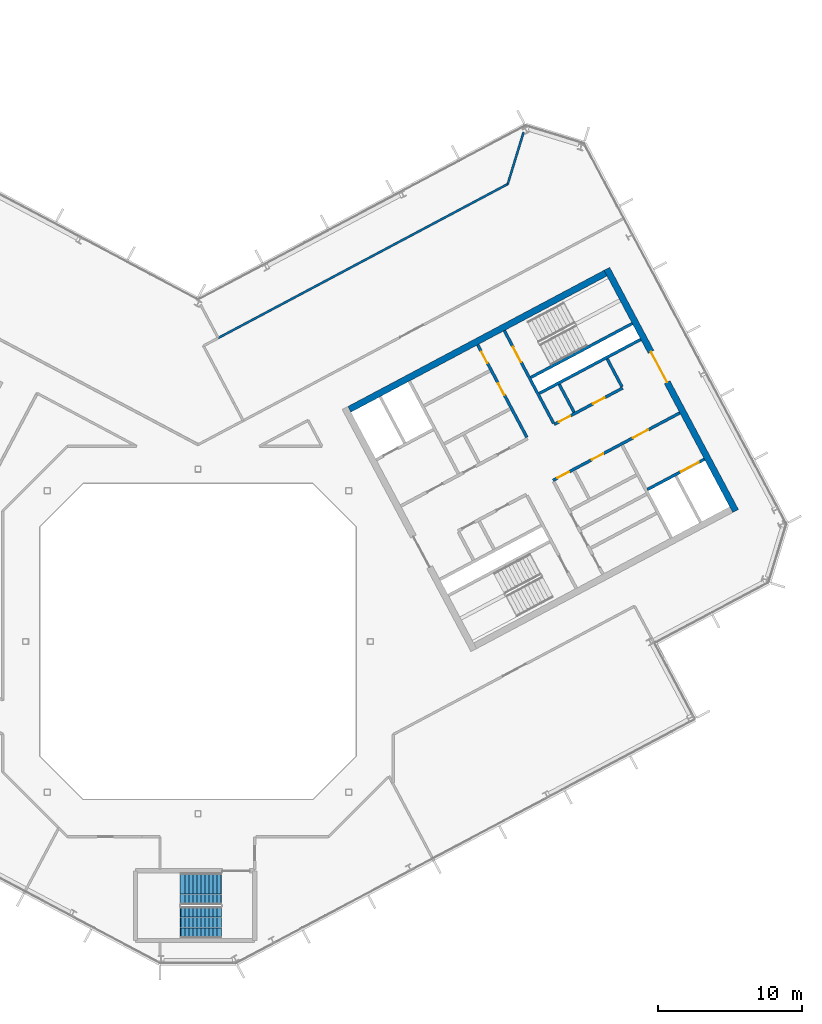
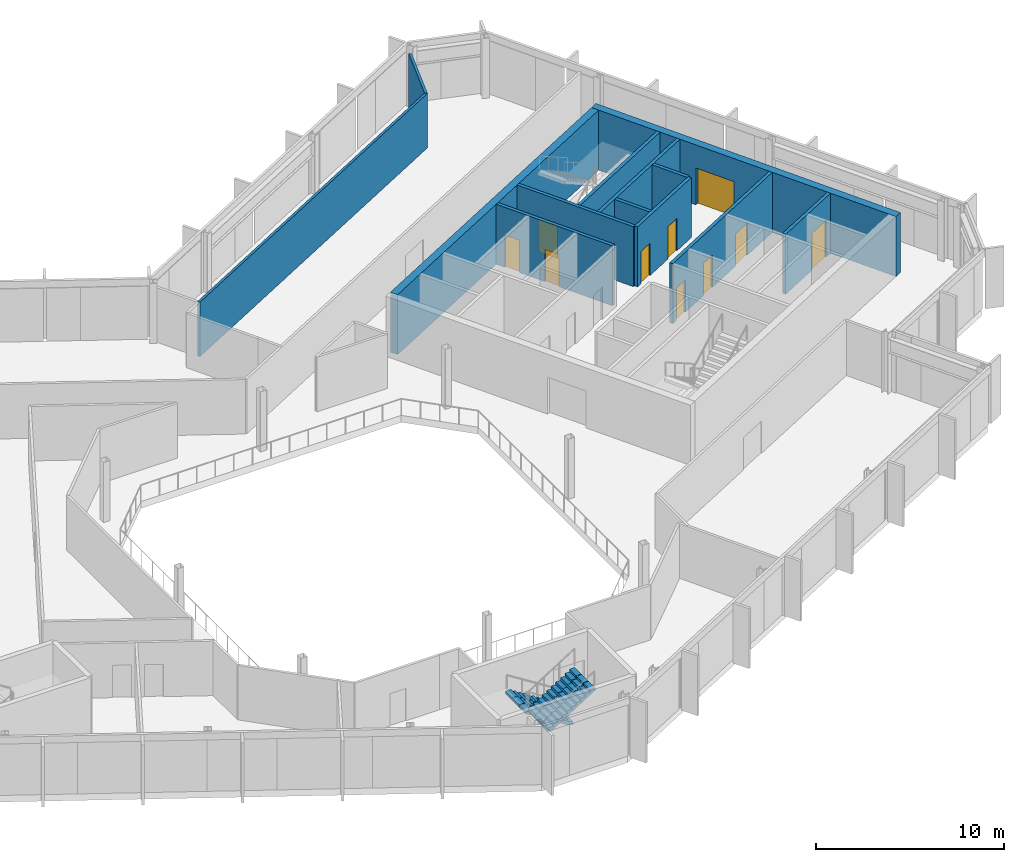
# One storey, part 17 of 26: 13 walls, 10 doors, 2 stair flights, 10 openings, 1 element without a shape of its own.
"""IFC4 building model written with IfcOpenShell, lengths in metres."""

from ifc_helpers import new_model, si_unit, direction, frame, frame_2d, origin, place, context, subcontext, project, spatial, polyline, rectangle, outline, extrude, material, layer, layer_set, type_object, element, fill, aggregate, save


model = new_model("IFC4")

# Units and contexts
model_context = context("Model", 3, precision=1e-05, world=origin(), true_north=direction((0.0, 1.0)))
body_context = subcontext(model_context, "Body", "Model", "MODEL_VIEW")
ifc_project = project(units=[si_unit("LENGTHUNIT", "METRE"), si_unit("AREAUNIT", "SQUARE_METRE"), si_unit("VOLUMEUNIT", "CUBIC_METRE"), si_unit("PLANEANGLEUNIT", "RADIAN"), si_unit("MASSUNIT", "GRAM", prefix="KILO")], contexts=[model_context])

# Site, building, storey
site_placement = place(None, origin())
site = spatial("IfcSite", under=ifc_project, at=site_placement, CompositionType="ELEMENT")
building_placement = place(site_placement, origin())
building = spatial("IfcBuilding", under=site, at=building_placement, Name="Cormorant Relay Tower", CompositionType="ELEMENT")
storey_placement = place(building_placement, frame((0.0, 0.0, 320.39990234375)))
storey = spatial("IfcBuildingStorey", under=building, at=storey_placement, Name="L73", CompositionType="ELEMENT", Elevation=320.39990234375)

# Wall
ifc_material_1 = material(Name="Concrete 40 MPa", Category="concrete")
ifc_layer_1 = layer(ifc_material_1, 0.199951171875)
ifc_layer_set_1 = layer_set([ifc_layer_1], Name="Core internal wall 200")
wall_type_1 = type_object("IfcWallType", Name="Core internal wall 200", PredefinedType="SOLIDWALL", material=ifc_layer_set_1)
wall_1_placement = place(storey_placement, frame((26.19091796875, 15.964599609375, 0.0), z_axis=(0.0, 0.0, 1.0), x_axis=(-0.469533832133, 0.882914480843, 0.0)))
element("IfcWall", 1, at=wall_1_placement, inside=storey, type_object=wall_type_1, Name="L73 core B shaft and room wall", PredefinedType="SOLIDWALL", context=body_context, shape_type="SweptSolid", body=[
    extrude(rectangle(XDim=2.199951171875, YDim=0.199951171875, at=frame_2d((1.10009765625, 0.0))), origin(), (0.0, 0.0, 1.0), 3.900146484375),
])

# Wall, openings, doors
ifc_material_2 = material(Name="Concrete 50 MPa", Category="concrete")
ifc_layer_2 = layer(ifc_material_2, 0.199951171875)
ifc_layer_set_2 = layer_set([ifc_layer_2], Name="Core shaft wall 200")
wall_type_2 = type_object("IfcWallType", Name="Core shaft wall 200", PredefinedType="SHEAR", material=ifc_layer_set_2)
wall_2_placement = place(storey_placement, frame((22.90625, 14.218017578125, 0.0), z_axis=(0.0, 0.0, 1.0), x_axis=(-0.469480409012, 0.88294288918, 0.0)))
wall_2 = element("IfcWall", 2, at=wall_2_placement, inside=storey, type_object=wall_type_2, Name="L73 core B shaft wall", PredefinedType="SHEAR", context=body_context, shape_type="SweptSolid", body=[
    extrude(rectangle(XDim=7.300048828125, YDim=0.199951171875, at=frame_2d((3.64990234375, 0.0))), origin(), (0.0, 0.0, 1.0), 3.900146484375),
])
opening_1_placement = place(wall_2_placement, frame((3.35009765625, 0.0, 0.0)))
opening_1 = element("IfcOpeningElement", 3, at=opening_1_placement, cuts=wall_2, Name="Opening CDD-352", PredefinedType="OPENING", context=body_context, shape_type="SweptSolid", body=[
    extrude(rectangle(XDim=0.89990234375, YDim=2.10009765625, at=frame_2d((0.449951171875, 1.050048828125))), frame((0.0, 0.10986328125, 0.0), z_axis=(0.0, -1.0, 0.0), x_axis=(1.0, 0.0, 0.0)), (0.0, 0.0, 1.0), 0.219970703125),
])
opening_2_placement = place(wall_2_placement, frame((5.85009765625, 0.0, 0.0)))
opening_2 = element("IfcOpeningElement", 4, at=opening_2_placement, cuts=wall_2, Name="Opening CDD-353", PredefinedType="OPENING", context=body_context, shape_type="SweptSolid", body=[
    extrude(rectangle(XDim=0.89990234375, YDim=2.10009765625, at=frame_2d((0.449951171875, 1.050048828125))), frame((0.0, 0.10986328125, 0.0), z_axis=(0.0, -1.0, 0.0), x_axis=(1.0, 0.0, 0.0)), (0.0, 0.0, 1.0), 0.219970703125),
])
ifc_material_3 = material(Name="Steel fire door", Category="steel")
door_type_1 = type_object("IfcDoorType", Name="Core room door 900x2100", OperationType="SINGLE_SWING_LEFT", PredefinedType="DOOR", material=ifc_material_3)
door_1_placement = place(opening_1_placement, origin())
door_1 = element("IfcDoor", 5, at=door_1_placement, inside=storey, type_object=door_type_1, Name="Core room door 900x2100", OperationType="SINGLE_SWING_RIGHT", OverallHeight=2.10009765625, OverallWidth=0.89990234375, PredefinedType="DOOR", context=body_context, shape_type="SweptSolid", body=[
    extrude(rectangle(XDim=0.89990234375, YDim=2.10009765625, at=frame_2d((0.449951171875, 1.050048828125))), frame((0.0, 0.02490234375, 0.0), z_axis=(0.0, -1.0, 0.0), x_axis=(1.0, 0.0, 0.0)), (0.0, 0.0, 1.0), 0.050048828125),
])
fill(opening_1, door_1)
door_2_placement = place(opening_2_placement, origin())
door_2 = element("IfcDoor", 6, at=door_2_placement, inside=storey, type_object=door_type_1, Name="Core room door 900x2100", OperationType="SINGLE_SWING_LEFT", OverallHeight=2.10009765625, OverallWidth=0.89990234375, PredefinedType="DOOR", context=body_context, shape_type="SweptSolid", body=[
    extrude(rectangle(XDim=0.89990234375, YDim=2.10009765625, at=frame_2d((0.449951171875, 1.050048828125))), frame((0.0, 0.02490234375, 0.0), z_axis=(0.0, -1.0, 0.0), x_axis=(1.0, 0.0, 0.0)), (0.0, 0.0, 1.0), 0.050048828125),
])
fill(opening_2, door_2)

# Wall, opening, door
wall_3_placement = place(storey_placement, frame((24.760498046875, 15.2041015625, 0.0), z_axis=(0.0, 0.0, 1.0), x_axis=(-0.469494272526, 0.882935517501, 0.0)))
wall_3 = element("IfcWall", 7, at=wall_3_placement, inside=storey, type_object=wall_type_2, Name="L73 core B shaft wall", PredefinedType="SHEAR", context=body_context, shape_type="SweptSolid", body=[
    extrude(rectangle(XDim=7.2998046875, YDim=0.199951171875, at=frame_2d((3.64990234375, 0.0))), origin(), (0.0, 0.0, 1.0), 3.900146484375),
])
opening_3_placement = place(wall_3_placement, frame((4.800048828125, 0.0, 0.0)))
opening_3 = element("IfcOpeningElement", 8, at=opening_3_placement, cuts=wall_3, Name="Opening CDB-041", PredefinedType="OPENING", context=body_context, shape_type="SweptSolid", body=[
    extrude(rectangle(XDim=1.199951171875, YDim=2.10009765625, at=frame_2d((0.60009765625, 1.050048828125))), frame((0.0, 0.10986328125, 0.0), z_axis=(0.0, -1.0, 0.0), x_axis=(1.0, 0.0, 0.0)), (0.0, 0.0, 1.0), 0.219970703125),
])
ifc_material_4 = material(Name="Steel fire door", Category="steel")
door_type_2 = type_object("IfcDoorType", Name="Core stair door 1200x2100", OperationType="SINGLE_SWING_LEFT", PredefinedType="DOOR", material=ifc_material_4)
door_3_placement = place(opening_3_placement, frame((1.199951171875, 0.0, 0.0), z_axis=(0.0, 0.0, 1.0), x_axis=(-1.0, 0.0, 0.0)))
door_3 = element("IfcDoor", 9, at=door_3_placement, inside=storey, type_object=door_type_2, Name="Core stair door 1200x2100", OperationType="SINGLE_SWING_RIGHT", OverallHeight=2.10009765625, OverallWidth=1.199951171875, PredefinedType="DOOR", context=body_context, shape_type="SweptSolid", body=[
    extrude(rectangle(XDim=1.199951171875, YDim=2.10009765625, at=frame_2d((0.60009765625, 1.050048828125))), frame((0.0, 0.02490234375, 0.0), z_axis=(0.0, -1.0, 0.0), x_axis=(1.0, 0.0, 0.0)), (0.0, 0.0, 1.0), 0.050048828125),
])
fill(opening_3, door_3)

# Wall
wall_4_placement = place(storey_placement, frame((29.5283203125, 17.739013671875, 0.0), z_axis=(0.0, 0.0, 1.0), x_axis=(-0.469401318492, 0.882984938828, 0.0)))
element("IfcWall", 10, at=wall_4_placement, inside=storey, type_object=wall_type_2, Name="L73 core B shaft wall", PredefinedType="SHEAR", context=body_context, shape_type="SweptSolid", body=[
    extrude(rectangle(XDim=2.199951171875, YDim=0.199951171875, at=frame_2d((1.10009765625, 0.0))), origin(), (0.0, 0.0, 1.0), 3.900146484375),
])

# Wall, opening, door
wall_5_placement = place(storey_placement, frame((31.295654296875, 10.5810546875, 0.0), z_axis=(0.0, 0.0, 1.0), x_axis=(0.882960433586, 0.469447412093, 0.0)))
wall_5 = element("IfcWall", 11, at=wall_5_placement, inside=storey, type_object=wall_type_2, Name="L73 core B shaft wall", PredefinedType="SHEAR", context=body_context, shape_type="SweptSolid", body=[
    extrude(rectangle(XDim=4.5, YDim=0.199951171875, at=frame_2d((2.25, 0.0))), origin(), (0.0, 0.0, 1.0), 3.900146484375),
])
opening_4_placement = place(wall_5_placement, frame((2.64990234375, 0.0, 0.0)))
opening_4 = element("IfcOpeningElement", 12, at=opening_4_placement, cuts=wall_5, Name="Opening LD3-016", PredefinedType="OPENING", context=body_context, shape_type="SweptSolid", body=[
    extrude(rectangle(XDim=1.39990234375, YDim=2.39990234375, at=frame_2d((0.699951171875, 1.199951171875))), frame((0.0, 0.10986328125, 0.0), z_axis=(0.0, -1.0, 0.0), x_axis=(1.0, 0.0, 0.0)), (0.0, 0.0, 1.0), 0.219970703125),
])
ifc_material_5 = material(Name="Stainless steel 316", Category="steel")
door_type_3 = type_object("IfcDoorType", Name="Lift landing door 1400x2400", OperationType="DOUBLE_DOOR_SLIDING", PredefinedType="DOOR", material=ifc_material_5)
door_4_placement = place(opening_4_placement, origin())
door_4 = element("IfcDoor", 13, at=door_4_placement, inside=storey, type_object=door_type_3, Name="SV2 landing door", OperationType="DOUBLE_DOOR_SLIDING", OverallHeight=2.39990234375, OverallWidth=1.39990234375, PredefinedType="DOOR", context=body_context, shape_type="SweptSolid", body=[
    extrude(rectangle(XDim=1.39990234375, YDim=2.39990234375, at=frame_2d((0.699951171875, 1.199951171875))), frame((0.0, 0.02490234375, 0.0), z_axis=(0.0, -1.0, 0.0), x_axis=(1.0, 0.0, 0.0)), (0.0, 0.0, 1.0), 0.050048828125),
])
fill(opening_4, door_4)

# Wall, openings, doors
wall_6_placement = place(storey_placement, frame((24.72607421875, 11.2216796875, 0.0), z_axis=(0.0, 0.0, 1.0), x_axis=(0.882940221191, 0.469485426614, 0.0)))
wall_6 = element("IfcWall", 14, at=wall_6_placement, inside=storey, type_object=wall_type_2, Name="L73 core B shaft wall", PredefinedType="SHEAR", context=body_context, shape_type="SweptSolid", body=[
    extrude(rectangle(XDim=10.0, YDim=0.199951171875, at=frame_2d((5.0, 0.0))), origin(), (0.0, 0.0, 1.0), 3.900146484375),
])
opening_5_placement = place(wall_6_placement, frame((6.300048828125, 0.0, 0.0)))
opening_5 = element("IfcOpeningElement", 15, at=opening_5_placement, cuts=wall_6, Name="Opening CDC-038", PredefinedType="OPENING", context=body_context, shape_type="SweptSolid", body=[
    extrude(rectangle(XDim=1.199951171875, YDim=2.10009765625, at=frame_2d((0.60009765625, 1.050048828125))), frame((0.0, 0.10986328125, 0.0), z_axis=(0.0, -1.0, 0.0), x_axis=(1.0, 0.0, 0.0)), (0.0, 0.0, 1.0), 0.219970703125),
])
opening_6_placement = place(wall_6_placement, frame((0.360107421875, 0.0, 0.0)))
opening_6 = element("IfcOpeningElement", 16, at=opening_6_placement, cuts=wall_6, Name="Opening CDD-247", PredefinedType="OPENING", context=body_context, shape_type="SweptSolid", body=[
    extrude(rectangle(XDim=0.89990234375, YDim=2.10009765625, at=frame_2d((0.449951171875, 1.050048828125))), frame((0.0, 0.10986328125, 0.0), z_axis=(0.0, -1.0, 0.0), x_axis=(1.0, 0.0, 0.0)), (0.0, 0.0, 1.0), 0.219970703125),
])
opening_7_placement = place(wall_6_placement, frame((3.06005859375, 0.0, 0.0)))
opening_7 = element("IfcOpeningElement", 17, at=opening_7_placement, cuts=wall_6, Name="Opening CDD-248", PredefinedType="OPENING", context=body_context, shape_type="SweptSolid", body=[
    extrude(rectangle(XDim=0.89990234375, YDim=2.10009765625, at=frame_2d((0.449951171875, 1.050048828125))), frame((0.0, 0.10986328125, 0.0), z_axis=(0.0, -1.0, 0.0), x_axis=(1.0, 0.0, 0.0)), (0.0, 0.0, 1.0), 0.219970703125),
])
ifc_material_6 = material(Name="Steel fire door", Category="steel")
door_type_4 = type_object("IfcDoorType", Name="Core lobby door 1200x2100", OperationType="SINGLE_SWING_LEFT", PredefinedType="DOOR", material=ifc_material_6)
door_5_placement = place(opening_5_placement, origin())
door_5 = element("IfcDoor", 18, at=door_5_placement, inside=storey, type_object=door_type_4, Name="Core lobby door 1200x2100", OperationType="SINGLE_SWING_LEFT", OverallHeight=2.10009765625, OverallWidth=1.199951171875, PredefinedType="DOOR", context=body_context, shape_type="SweptSolid", body=[
    extrude(rectangle(XDim=1.199951171875, YDim=2.10009765625, at=frame_2d((0.60009765625, 1.050048828125))), frame((0.0, 0.02490234375, 0.0), z_axis=(0.0, -1.0, 0.0), x_axis=(1.0, 0.0, 0.0)), (0.0, 0.0, 1.0), 0.050048828125),
])
fill(opening_5, door_5)
door_6_placement = place(opening_6_placement, frame((0.89990234375, 0.0, 0.0), z_axis=(0.0, 0.0, 1.0), x_axis=(-1.0, 0.0, 0.0)))
door_6 = element("IfcDoor", 19, at=door_6_placement, inside=storey, type_object=door_type_1, Name="Core room door 900x2100", OperationType="SINGLE_SWING_RIGHT", OverallHeight=2.10009765625, OverallWidth=0.89990234375, PredefinedType="DOOR", context=body_context, shape_type="SweptSolid", body=[
    extrude(rectangle(XDim=0.89990234375, YDim=2.10009765625, at=frame_2d((0.449951171875, 1.050048828125))), frame((0.0, 0.02490234375, 0.0), z_axis=(0.0, -1.0, 0.0), x_axis=(1.0, 0.0, 0.0)), (0.0, 0.0, 1.0), 0.050048828125),
])
fill(opening_6, door_6)
door_7_placement = place(opening_7_placement, frame((0.89990234375, 0.0, 0.0), z_axis=(0.0, 0.0, 1.0), x_axis=(-1.0, 0.0, 0.0)))
door_7 = element("IfcDoor", 20, at=door_7_placement, inside=storey, type_object=door_type_1, Name="Core room door 900x2100", OperationType="SINGLE_SWING_RIGHT", OverallHeight=2.10009765625, OverallWidth=0.89990234375, PredefinedType="DOOR", context=body_context, shape_type="SweptSolid", body=[
    extrude(rectangle(XDim=0.89990234375, YDim=2.10009765625, at=frame_2d((0.449951171875, 1.050048828125))), frame((0.0, 0.02490234375, 0.0), z_axis=(0.0, -1.0, 0.0), x_axis=(1.0, 0.0, 0.0)), (0.0, 0.0, 1.0), 0.050048828125),
])
fill(opening_7, door_7)

wall_7_placement = place(storey_placement, frame((24.807373046875, 15.11572265625, 0.0), z_axis=(0.0, 0.0, 1.0), x_axis=(0.882942972946, 0.469480251476, 0.0)))
wall_7 = element("IfcWall", 21, at=wall_7_placement, inside=storey, type_object=wall_type_2, Name="L73 core B shaft wall", PredefinedType="SHEAR", context=body_context, shape_type="SweptSolid", body=[
    extrude(rectangle(XDim=5.39990234375, YDim=0.199951171875, at=frame_2d((2.699951171875, 0.0))), origin(), (0.0, 0.0, 1.0), 3.900146484375),
])
opening_8_placement = place(wall_7_placement, frame((0.360107421875, 0.0, 0.0)))
opening_8 = element("IfcOpeningElement", 22, at=opening_8_placement, cuts=wall_7, Name="Opening CDD-243", PredefinedType="OPENING", context=body_context, shape_type="SweptSolid", body=[
    extrude(rectangle(XDim=0.89990234375, YDim=2.10009765625, at=frame_2d((0.449951171875, 1.050048828125))), frame((0.0, 0.10986328125, 0.0), z_axis=(0.0, -1.0, 0.0), x_axis=(1.0, 0.0, 0.0)), (0.0, 0.0, 1.0), 0.219970703125),
])
opening_9_placement = place(wall_7_placement, frame((3.06005859375, 0.0, 0.0)))
opening_9 = element("IfcOpeningElement", 23, at=opening_9_placement, cuts=wall_7, Name="Opening CDD-294", PredefinedType="OPENING", context=body_context, shape_type="SweptSolid", body=[
    extrude(rectangle(XDim=0.89990234375, YDim=2.10009765625, at=frame_2d((0.449951171875, 1.050048828125))), frame((0.0, 0.10986328125, 0.0), z_axis=(0.0, -1.0, 0.0), x_axis=(1.0, 0.0, 0.0)), (0.0, 0.0, 1.0), 0.219970703125),
])
door_8_placement = place(opening_8_placement, origin())
door_8 = element("IfcDoor", 24, at=door_8_placement, inside=storey, type_object=door_type_1, Name="Core room door 900x2100", OperationType="SINGLE_SWING_LEFT", OverallHeight=2.10009765625, OverallWidth=0.89990234375, PredefinedType="DOOR", context=body_context, shape_type="SweptSolid", body=[
    extrude(rectangle(XDim=0.89990234375, YDim=2.10009765625, at=frame_2d((0.449951171875, 1.050048828125))), frame((0.0, 0.02490234375, 0.0), z_axis=(0.0, -1.0, 0.0), x_axis=(1.0, 0.0, 0.0)), (0.0, 0.0, 1.0), 0.050048828125),
])
fill(opening_8, door_8)
door_9_placement = place(opening_9_placement, origin())
door_9 = element("IfcDoor", 25, at=door_9_placement, inside=storey, type_object=door_type_1, Name="Core room door 900x2100", OperationType="SINGLE_SWING_LEFT", OverallHeight=2.10009765625, OverallWidth=0.89990234375, PredefinedType="DOOR", context=body_context, shape_type="SweptSolid", body=[
    extrude(rectangle(XDim=0.89990234375, YDim=2.10009765625, at=frame_2d((0.449951171875, 1.050048828125))), frame((0.0, 0.02490234375, 0.0), z_axis=(0.0, -1.0, 0.0), x_axis=(1.0, 0.0, 0.0)), (0.0, 0.0, 1.0), 0.050048828125),
])
fill(opening_9, door_9)

# Walls
wall_8_placement = place(storey_placement, frame((23.76904296875, 17.28173828125, 0.0), z_axis=(0.0, 0.0, 1.0), x_axis=(0.882940221191, 0.469485426614, 0.0)))
element("IfcWall", 26, at=wall_8_placement, inside=storey, type_object=wall_type_2, Name="L73 core B shaft wall", PredefinedType="SHEAR", context=body_context, shape_type="SweptSolid", body=[
    extrude(rectangle(XDim=8.0, YDim=0.199951171875, at=frame_2d((4.0, 0.0))), origin(), (0.0, 0.0, 1.0), 3.900146484375),
])
wall_9_placement = place(storey_placement, frame((23.18212890625, 18.385498046875, 0.0), z_axis=(0.0, 0.0, 1.0), x_axis=(0.88295287151, 0.469461634952, 0.0)))
element("IfcWall", 27, at=wall_9_placement, inside=storey, type_object=wall_type_2, Name="L73 core B shaft wall", PredefinedType="SHEAR", context=body_context, shape_type="SweptSolid", body=[
    extrude(rectangle(XDim=7.999755859375, YDim=0.199951171875, at=frame_2d((4.0, 0.0))), origin(), (0.0, 0.0, 1.0), 3.900146484375),
])

# Wall, opening, door
ifc_material_7 = material(Name="Concrete 50 MPa", Category="concrete")
ifc_layer_3 = layer(ifc_material_7, 0.449951171875)
ifc_layer_set_3 = layer_set([ifc_layer_3], Name="Core wall 450")
wall_type_3 = type_object("IfcWallType", Name="Core wall 450", PredefinedType="SHEAR", material=ifc_layer_set_3)
wall_10_placement = place(storey_placement, frame((37.439453125, 9.0908203125, 0.0), z_axis=(0.0, 0.0, 1.0), x_axis=(-0.469467968382, 0.882949504028, 0.0)))
wall_10 = element("IfcWall", 28, at=wall_10_placement, inside=storey, type_object=wall_type_3, Name="L73 core B wall", PredefinedType="SHEAR", context=body_context, shape_type="SweptSolid", body=[
    extrude(rectangle(XDim=19.099853515625, YDim=0.449951171875, at=frame_2d((9.5498046875, 0.0))), origin(), (0.0, 0.0, 1.0), 3.900146484375),
])
opening_10_placement = place(wall_10_placement, frame((10.14990234375, 0.0, 0.0)))
opening_10 = element("IfcOpeningElement", 29, at=opening_10_placement, cuts=wall_10, Name="Opening CDA-053", PredefinedType="OPENING", context=body_context, shape_type="SweptSolid", body=[
    extrude(rectangle(XDim=2.39990234375, YDim=2.39990234375, at=frame_2d((1.199951171875, 1.199951171875))), frame((0.0, 0.23486328125, 0.0), z_axis=(0.0, -1.0, 0.0), x_axis=(1.0, 0.0, 0.0)), (0.0, 0.0, 1.0), 0.469970703125),
])
ifc_material_8 = material(Name="Steel fire door", Category="steel")
door_type_5 = type_object("IfcDoorType", Name="Core lobby door 2400x2400", OperationType="DOUBLE_DOOR_SINGLE_SWING", PredefinedType="DOOR", material=ifc_material_8)
door_10_placement = place(opening_10_placement, origin())
door_10 = element("IfcDoor", 30, at=door_10_placement, inside=storey, type_object=door_type_5, Name="Core lobby door 2400x2400", OperationType="DOUBLE_DOOR_SINGLE_SWING", OverallHeight=2.39990234375, OverallWidth=2.39990234375, PredefinedType="DOOR", context=body_context, shape_type="SweptSolid", body=[
    extrude(rectangle(XDim=2.39990234375, YDim=2.39990234375, at=frame_2d((1.199951171875, 1.199951171875))), frame((0.0, 0.02490234375, 0.0), z_axis=(0.0, -1.0, 0.0), x_axis=(1.0, 0.0, 0.0)), (0.0, 0.0, 1.0), 0.050048828125),
])
fill(opening_10, door_10)

# Walls
wall_11_placement = place(storey_placement, frame((10.5439453125, 16.16748046875, 0.0), z_axis=(0.0, 0.0, 1.0), x_axis=(0.882947755831, 0.46947125628, 0.0)))
element("IfcWall", 31, at=wall_11_placement, inside=storey, type_object=wall_type_3, Name="L73 core B wall", PredefinedType="SHEAR", context=body_context, shape_type="SweptSolid", body=[
    extrude(rectangle(XDim=20.2001953125, YDim=0.449951171875, at=frame_2d((10.10009765625, 0.0))), origin(), (0.0, 0.0, 1.0), 3.900146484375),
])
ifc_material_9 = material(Name="Gypsum board partition")
ifc_layer_4 = layer(ifc_material_9, 0.14990234375)
ifc_layer_set_4 = layer_set([ifc_layer_4], Name="Tenant partition 150")
wall_type_4 = type_object("IfcWallType", Name="Tenant partition 150", PredefinedType="PARTITIONING", material=ifc_layer_set_4)
wall_12_placement = place(storey_placement, frame((1.405029296875, 21.133056640625, 0.0), z_axis=(0.0, 0.0, 1.0), x_axis=(0.882938487938, 0.46948868625, 0.0)))
element("IfcWall", 32, at=wall_12_placement, inside=storey, type_object=wall_type_4, Name="wall/L73/part/034", PredefinedType="PARTITIONING", context=body_context, shape_type="SweptSolid", body=[
    extrude(rectangle(XDim=22.83740234375, YDim=0.14990234375, at=frame_2d((11.418701171875, 0.0))), origin(), (0.0, 0.0, 1.0), 3.5400390625),
])
wall_13_placement = place(storey_placement, frame((21.569091796875, 31.85498046875, 0.0), z_axis=(0.0, 0.0, 1.0), x_axis=(0.292806976968, 0.956171571549, 0.0)))
element("IfcWall", 33, at=wall_13_placement, inside=storey, type_object=wall_type_4, Name="wall/L73/part/035", PredefinedType="PARTITIONING", context=body_context, shape_type="SweptSolid", body=[
    extrude(rectangle(XDim=3.78369140625, YDim=0.14990234375, at=frame_2d((1.891845703125, 0.0))), origin(), (0.0, 0.0, 1.0), 3.5400390625),
])

# Stair, stair flights
ifc_material_10 = material(Name="Concrete 40 MPa", Category="concrete")
stair_type = type_object("IfcStairType", Name="Remote exit stair 2200", PredefinedType="HALF_TURN_STAIR", material=ifc_material_10)
stair_placement = place(storey_placement, origin())
stair = element("IfcStair", 34, at=stair_placement, inside=storey, type_object=stair_type, Name="L73 Stair", PredefinedType="HALF_TURN_STAIR")
ifc_material_11 = material(Name="Concrete 40 MPa", Category="concrete")
stair_flight_type = type_object("IfcStairFlightType", Name="Remote exit stair flight 2200", PredefinedType="STRAIGHT", material=ifc_material_11)
stair_flight_1_placement = place(storey_placement, frame((1.60009765625, -17.22509765625, 0.0), z_axis=(0.0, 0.0, 1.0), x_axis=(-1.0, 0.0, 0.0)))
stair_flight_1 = element("IfcStairFlight", 35, at=stair_flight_1_placement, type_object=stair_flight_type, Name="RK1 flight 1", NumberOfRisers=11, NumberOfTreads=10, PredefinedType="STRAIGHT", RiserHeight=0.177272727, TreadLength=0.28, context=body_context, shape_type="SweptSolid", body=[
    extrude(outline(polyline([(-0.050048828125, -0.080078125), (-0.050048828125, 0.0), (0.0, 0.0), (0.0, 0.17724609375), (0.280029296875, 0.17724609375), (0.280029296875, 0.3544921875), (0.56005859375, 0.3544921875), (0.56005859375, 0.53173828125), (0.840087890625, 0.53173828125), (0.840087890625, 0.708984375), (1.1201171875, 0.708984375), (1.1201171875, 0.886474609375), (1.39990234375, 0.886474609375), (1.39990234375, 1.063720703125), (1.679931640625, 1.063720703125), (1.679931640625, 1.240966796875), (1.9599609375, 1.240966796875), (1.9599609375, 1.418212890625), (2.239990234375, 1.418212890625), (2.239990234375, 1.595458984375), (2.52001953125, 1.595458984375), (2.52001953125, 1.772705078125), (2.800048828125, 1.772705078125), (2.85009765625, 1.772705078125), (2.85009765625, 1.59521484375), (2.800048828125, 1.59521484375), (0.2802734375, 0.0), (-0.050048828125, -0.080078125)])), frame((0.0, 1.10009765625, 0.0), z_axis=(0.0, -1.0, 0.0), x_axis=(1.0, 0.0, 0.0)), (0.0, 0.0, 1.0), 0.719970703125),
    extrude(outline(polyline([(-0.050048828125, -0.080078125), (-0.050048828125, 0.0), (0.0, 0.0), (0.0, 0.17724609375), (0.280029296875, 0.17724609375), (0.280029296875, 0.3544921875), (0.56005859375, 0.3544921875), (0.56005859375, 0.53173828125), (0.840087890625, 0.53173828125), (0.840087890625, 0.708984375), (1.1201171875, 0.708984375), (1.1201171875, 0.886474609375), (1.39990234375, 0.886474609375), (1.39990234375, 1.063720703125), (1.679931640625, 1.063720703125), (1.679931640625, 1.240966796875), (1.9599609375, 1.240966796875), (1.9599609375, 1.418212890625), (2.239990234375, 1.418212890625), (2.239990234375, 1.595458984375), (2.52001953125, 1.595458984375), (2.52001953125, 1.772705078125), (2.800048828125, 1.772705078125), (2.85009765625, 1.772705078125), (2.85009765625, 1.59521484375), (2.800048828125, 1.59521484375), (0.2802734375, 0.0), (-0.050048828125, -0.080078125)])), frame((0.0, 0.360107421875, 0.0), z_axis=(0.0, -1.0, 0.0), x_axis=(1.0, 0.0, 0.0)), (0.0, 0.0, 1.0), 0.719970703125),
    extrude(outline(polyline([(-0.050048828125, -0.080078125), (-0.050048828125, 0.0), (0.0, 0.0), (0.0, 0.17724609375), (0.280029296875, 0.17724609375), (0.280029296875, 0.3544921875), (0.56005859375, 0.3544921875), (0.56005859375, 0.53173828125), (0.840087890625, 0.53173828125), (0.840087890625, 0.708984375), (1.1201171875, 0.708984375), (1.1201171875, 0.886474609375), (1.39990234375, 0.886474609375), (1.39990234375, 1.063720703125), (1.679931640625, 1.063720703125), (1.679931640625, 1.240966796875), (1.9599609375, 1.240966796875), (1.9599609375, 1.418212890625), (2.239990234375, 1.418212890625), (2.239990234375, 1.595458984375), (2.52001953125, 1.595458984375), (2.52001953125, 1.772705078125), (2.800048828125, 1.772705078125), (2.85009765625, 1.772705078125), (2.85009765625, 1.59521484375), (2.800048828125, 1.59521484375), (0.2802734375, 0.0), (-0.050048828125, -0.080078125)])), frame((0.0, -0.3798828125, 0.0), z_axis=(0.0, -1.0, 0.0), x_axis=(1.0, 0.0, 0.0)), (0.0, 0.0, 1.0), 0.719970703125),
])
stair_flight_2_placement = place(storey_placement, frame((-1.199951171875, -19.574951171875, 1.9501953125), z_axis=(0.0, 0.0, 1.0), x_axis=(1.0, 0.0, 0.0)))
stair_flight_2 = element("IfcStairFlight", 36, at=stair_flight_2_placement, type_object=stair_flight_type, Name="RK1 flight 2", NumberOfRisers=11, NumberOfTreads=10, PredefinedType="STRAIGHT", RiserHeight=0.177272727, TreadLength=0.28, context=body_context, shape_type="SweptSolid", body=[
    extrude(outline(polyline([(-0.050048828125, -0.080078125), (-0.050048828125, 0.0), (0.0, 0.0), (0.0, 0.17724609375), (0.280029296875, 0.17724609375), (0.280029296875, 0.3544921875), (0.56005859375, 0.3544921875), (0.56005859375, 0.53173828125), (0.840087890625, 0.53173828125), (0.840087890625, 0.708984375), (1.1201171875, 0.708984375), (1.1201171875, 0.886474609375), (1.39990234375, 0.886474609375), (1.39990234375, 1.063720703125), (1.679931640625, 1.063720703125), (1.679931640625, 1.240966796875), (1.9599609375, 1.240966796875), (1.9599609375, 1.418212890625), (2.239990234375, 1.418212890625), (2.239990234375, 1.595458984375), (2.52001953125, 1.595458984375), (2.52001953125, 1.772705078125), (2.800048828125, 1.772705078125), (2.85009765625, 1.772705078125), (2.85009765625, 1.59521484375), (2.800048828125, 1.59521484375), (0.2802734375, 0.0), (-0.050048828125, -0.080078125)])), frame((0.0, 1.10009765625, 0.0), z_axis=(0.0, -1.0, 0.0), x_axis=(1.0, 0.0, 0.0)), (0.0, 0.0, 1.0), 0.719970703125),
    extrude(outline(polyline([(-0.050048828125, -0.080078125), (-0.050048828125, 0.0), (0.0, 0.0), (0.0, 0.17724609375), (0.280029296875, 0.17724609375), (0.280029296875, 0.3544921875), (0.56005859375, 0.3544921875), (0.56005859375, 0.53173828125), (0.840087890625, 0.53173828125), (0.840087890625, 0.708984375), (1.1201171875, 0.708984375), (1.1201171875, 0.886474609375), (1.39990234375, 0.886474609375), (1.39990234375, 1.063720703125), (1.679931640625, 1.063720703125), (1.679931640625, 1.240966796875), (1.9599609375, 1.240966796875), (1.9599609375, 1.418212890625), (2.239990234375, 1.418212890625), (2.239990234375, 1.595458984375), (2.52001953125, 1.595458984375), (2.52001953125, 1.772705078125), (2.800048828125, 1.772705078125), (2.85009765625, 1.772705078125), (2.85009765625, 1.59521484375), (2.800048828125, 1.59521484375), (0.2802734375, 0.0), (-0.050048828125, -0.080078125)])), frame((0.0, 0.360107421875, 0.0), z_axis=(0.0, -1.0, 0.0), x_axis=(1.0, 0.0, 0.0)), (0.0, 0.0, 1.0), 0.719970703125),
    extrude(outline(polyline([(-0.050048828125, -0.080078125), (-0.050048828125, 0.0), (0.0, 0.0), (0.0, 0.17724609375), (0.280029296875, 0.17724609375), (0.280029296875, 0.3544921875), (0.56005859375, 0.3544921875), (0.56005859375, 0.53173828125), (0.840087890625, 0.53173828125), (0.840087890625, 0.708984375), (1.1201171875, 0.708984375), (1.1201171875, 0.886474609375), (1.39990234375, 0.886474609375), (1.39990234375, 1.063720703125), (1.679931640625, 1.063720703125), (1.679931640625, 1.240966796875), (1.9599609375, 1.240966796875), (1.9599609375, 1.418212890625), (2.239990234375, 1.418212890625), (2.239990234375, 1.595458984375), (2.52001953125, 1.595458984375), (2.52001953125, 1.772705078125), (2.800048828125, 1.772705078125), (2.85009765625, 1.772705078125), (2.85009765625, 1.59521484375), (2.800048828125, 1.59521484375), (0.2802734375, 0.0), (-0.050048828125, -0.080078125)])), frame((0.0, -0.3798828125, 0.0), z_axis=(0.0, -1.0, 0.0), x_axis=(1.0, 0.0, 0.0)), (0.0, 0.0, 1.0), 0.719970703125),
])
aggregate(stair, [stair_flight_1, stair_flight_2])

save(model, "model.ifc")
